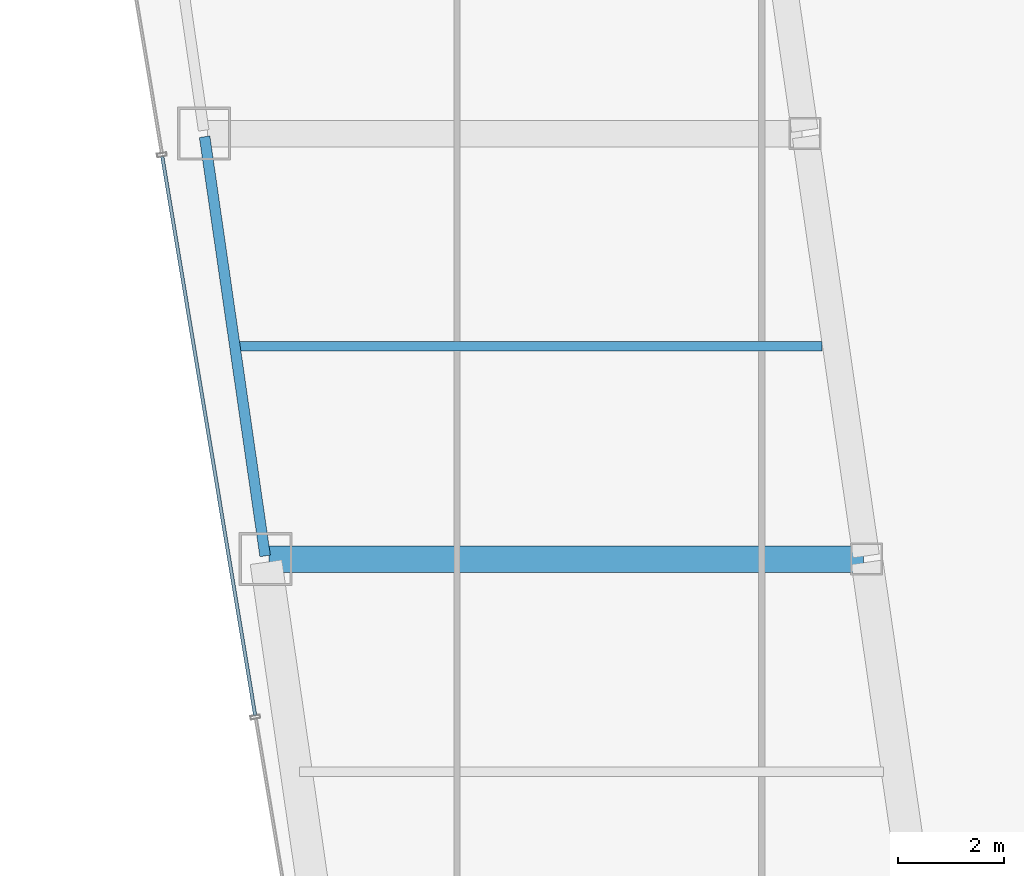
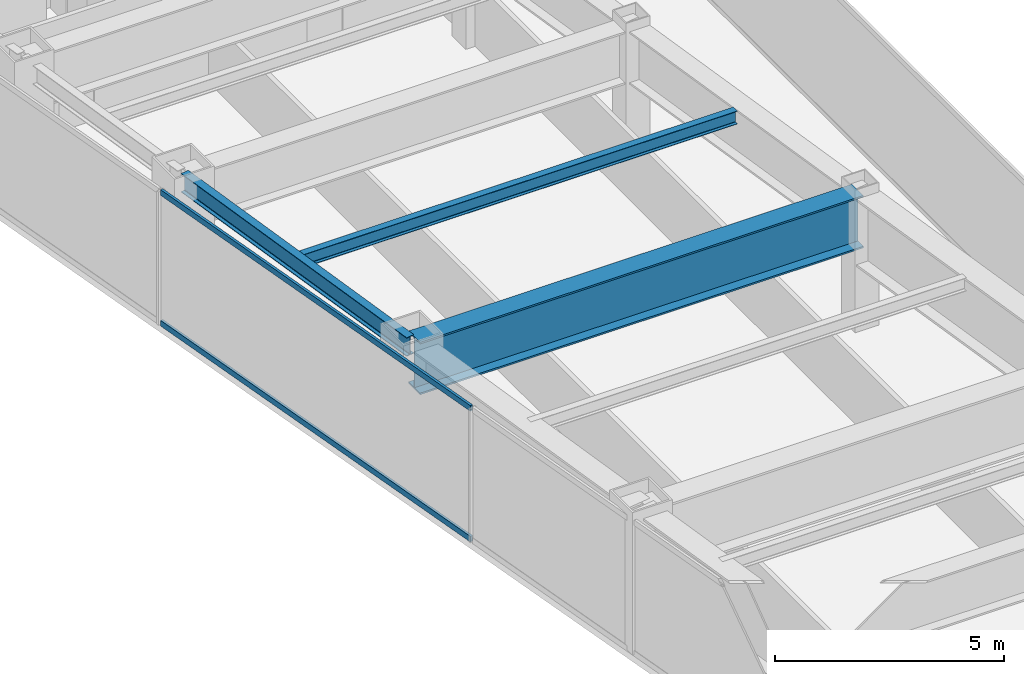
# One storey, part 8 of 37: 3 beams, 2 members, 1 element without a shape of its own.
"""IFC4 building model written with IfcOpenShell, lengths in metres."""

import ifcopenshell
import ifcopenshell.guid

model = None  # the IFC model being written
_history = None  # IfcOwnerHistory: only IFC2X3 demands one
_inside = {}  # id of a spatial element -> (the spatial element, [elements in it])
_under = {}  # id of a project, library or spatial element -> (it, [spatial elements below it])
_declared = {}  # id of a project -> (the project, [libraries it declares])
_typed = {}  # id of a type object -> (the type object, [elements of that type])
_made_of = {}  # id of a material, layer set ... -> (it, [elements and type objects made of it])


def new_model(schema):
    """Start an empty IFC model of exactly this schema.

    Asked for "IFC4X3", IfcOpenShell would pick the latest addendum, in which some entities
    have other attributes; the version numbers below select the first issue.
    IFC2X3 requires an IfcOwnerHistory on every rooted entity: one is made here for all.
    """
    global model, _history
    if schema == "IFC4X3":
        model = ifcopenshell.file(schema_version=(4, 3, 0, 0))
    else:
        model = ifcopenshell.file(schema=schema)
    _inside.clear()
    _under.clear()
    _declared.clear()
    _typed.clear()
    _made_of.clear()
    _history = None
    if model.schema == "IFC2X3":
        org = make("IfcOrganization", Name="unknown")
        user = make(
            "IfcPersonAndOrganization",
            ThePerson=make("IfcPerson", FamilyName="unknown"),
            TheOrganization=org,
        )
        app = make(
            "IfcApplication",
            ApplicationDeveloper=org,
            Version="unknown",
            ApplicationFullName="unknown",
            ApplicationIdentifier="unknown",
        )
        _history = make(
            "IfcOwnerHistory",
            OwningUser=user,
            OwningApplication=app,
            ChangeAction="ADDED",
            CreationDate=0,
        )
    return model


def make(cls, **values):
    """One entity of the class cls with the attributes given. An attribute that is None is left unset."""
    return model.create_entity(
        cls, **{name: value for name, value in values.items() if value is not None}
    )


def rooted(cls, **values):
    """An entity with a GlobalId (a new one), such as an element, a storey or a relation."""
    return make(cls, GlobalId=ifcopenshell.guid.new(), OwnerHistory=_history, **values)


def si_unit(unit_type, name, prefix=None):
    """IfcSIUnit, for example si_unit("LENGTHUNIT", "METRE", prefix="MILLI")."""
    return make("IfcSIUnit", UnitType=unit_type, Prefix=prefix, Name=name)


def assignment(units):
    """IfcUnitAssignment: the units of a project."""
    return None if units is None else make("IfcUnitAssignment", Units=units)


def point(xyz):
    """IfcCartesianPoint."""
    return None if xyz is None else make("IfcCartesianPoint", Coordinates=xyz)


def direction(xyz):
    """IfcDirection."""
    return None if xyz is None else make("IfcDirection", DirectionRatios=xyz)


def frame(location, z_axis=None, x_axis=None):
    """IfcAxis2Placement3D, a coordinate frame: its origin and axes. An axis left out is left unset."""
    return make(
        "IfcAxis2Placement3D",
        Location=point(location),
        Axis=direction(z_axis),
        RefDirection=direction(x_axis),
    )


def frame_2d(location, x_axis=None):
    """IfcAxis2Placement2D, a coordinate frame in the plane: its origin and x axis."""
    return make(
        "IfcAxis2Placement2D", Location=point(location), RefDirection=direction(x_axis)
    )


def origin():
    """The frame at (0, 0, 0) with its axes left unset."""
    return frame((0.0, 0.0, 0.0))


def origin_2d():
    """The frame at (0, 0) in the plane with its x axis left unset."""
    return frame_2d((0.0, 0.0))


def place(relative_to, where):
    """IfcLocalPlacement: puts the frame where relative to a parent placement (None: the world)."""
    return make(
        "IfcLocalPlacement", PlacementRelTo=relative_to, RelativePlacement=where
    )


def context(
    kind, dimensions, precision=None, world=None, true_north=None, identifier=None
):
    """IfcGeometricRepresentationContext, for example the 3D "Model" context."""
    return make(
        "IfcGeometricRepresentationContext",
        ContextIdentifier=identifier,
        ContextType=kind,
        CoordinateSpaceDimension=dimensions,
        Precision=precision,
        WorldCoordinateSystem=world,
        TrueNorth=true_north,
    )


def subcontext(parent, identifier, kind, view, scale=None):
    """IfcGeometricRepresentationSubContext, for example "Body" below "Model"."""
    return make(
        "IfcGeometricRepresentationSubContext",
        ContextIdentifier=identifier,
        ContextType=kind,
        ParentContext=parent,
        TargetScale=scale,
        TargetView=view,
    )


def project(units=None, contexts=None):
    """IfcProject with its units and contexts."""
    return rooted(
        "IfcProject",
        Name="project",
        RepresentationContexts=contexts,
        UnitsInContext=assignment(units),
    )


def spatial(cls, under=None, at=None, **own):
    """A site, building, storey or space (cls), placed at a placement, below another one or the project."""
    s = rooted(cls, ObjectPlacement=at, **own)
    if under is not None:
        _under.setdefault(under.id(), (under, []))[1].append(s)
    return s


def profile(cls, at=None, kind="AREA", **sizes):
    """A parametric profile (cls). Its sizes go by their IFC names, for example OverallWidth=200.0."""
    return make(cls, ProfileType=kind, Position=at, **sizes)


def hollow_rectangle(**sizes):
    """IfcRectangleHollowProfileDef."""
    return profile("IfcRectangleHollowProfileDef", **sizes)


def i_section(**sizes):
    """IfcIShapeProfileDef."""
    return profile("IfcIShapeProfileDef", **sizes)


def extrude(swept, where, along, depth):
    """IfcExtrudedAreaSolid: the profile swept, set in the frame where, extruded along a direction by depth."""
    return make(
        "IfcExtrudedAreaSolid",
        SweptArea=swept,
        Position=where,
        ExtrudedDirection=direction(along),
        Depth=depth,
    )


def shape(context_of_items, identifier, shape_type, items):
    """IfcShapeRepresentation: the items that make up one representation, for example the "Body"."""
    return make(
        "IfcShapeRepresentation",
        ContextOfItems=context_of_items,
        RepresentationIdentifier=identifier,
        RepresentationType=shape_type,
        Items=items,
    )


def material(Name=None, Category=None):
    """IfcMaterial."""
    return make("IfcMaterial", Name=Name, Category=Category)


def material_profile(
    of_material, cross_section, Name=None, Category=None, Priority=None
):
    """IfcMaterialProfile: a cross section and its material."""
    return make(
        "IfcMaterialProfile",
        Name=Name,
        Material=of_material,
        Profile=cross_section,
        Priority=Priority,
        Category=Category,
    )


def profile_set(profiles, Name=None, composite=None):
    """IfcMaterialProfileSet."""
    return make(
        "IfcMaterialProfileSet",
        Name=Name,
        MaterialProfiles=profiles,
        CompositeProfile=composite,
    )


def made_of(thing, what):
    """Note that an element or type object is made of a material, layer set ...; save() writes the relation."""
    if what is not None:
        _made_of.setdefault(what.id(), (what, []))[1].append(thing)
    return thing


def type_object(cls, material=None, **own):
    """A type object (cls), such as IfcWallType, which elements share."""
    return made_of(rooted(cls, **own), material)


def element(
    cls,
    number,
    at=None,
    inside=None,
    cuts=None,
    type_object=None,
    material=None,
    context=None,
    identifier="Body",
    shape_type=None,
    held_by="IfcProductDefinitionShape",
    body=None,
    shapes=None,
    **own,
):
    """One element of the class cls, such as IfcWall. Its Tag is "e" and its number.

    at: its placement. inside: the storey or other place that contains it. cuts: it is an
    opening in that element (IfcRelVoidsElement). A single representation is given by context,
    identifier, shape_type and body (its items); several are given by shapes. held_by: the class
    of the entity that holds the representations. save() writes the other relations.
    """
    e = rooted(cls, Tag="e%d" % number, ObjectPlacement=at, **own)
    if body is not None:
        shapes = [shape(context, identifier, shape_type, body)]
    if shapes is not None:
        e.Representation = make(held_by, Representations=shapes)
    if inside is not None:
        _inside.setdefault(inside.id(), (inside, []))[1].append(e)
    if cuts is not None:
        rooted(
            "IfcRelVoidsElement", RelatingBuildingElement=cuts, RelatedOpeningElement=e
        )
    if type_object is not None:
        _typed.setdefault(type_object.id(), (type_object, []))[1].append(e)
    return made_of(e, material)


def aggregate(whole, parts):
    """IfcRelAggregates: a whole, such as a stair, and the parts it consists of."""
    return rooted("IfcRelAggregates", RelatingObject=whole, RelatedObjects=parts)


def save(model, path):
    """Write the relations noted so far, then the file.

    IfcRelAggregates (storeys below a building ...), IfcRelContainedInSpatialStructure (elements
    in a storey), IfcRelDefinesByType, IfcRelAssociatesMaterial and IfcRelDeclares: one each for
    every whole, place, type object, material and project.
    """
    for whole, parts in _under.values():
        aggregate(whole, parts)
    for where, things in _inside.values():
        rooted(
            "IfcRelContainedInSpatialStructure",
            RelatedElements=things,
            RelatingStructure=where,
        )
    for kind, things in _typed.values():
        rooted("IfcRelDefinesByType", RelatedObjects=things, RelatingType=kind)
    for what, things in _made_of.values():
        rooted("IfcRelAssociatesMaterial", RelatedObjects=things, RelatingMaterial=what)
    for by, libraries in _declared.values():
        rooted("IfcRelDeclares", RelatingContext=by, RelatedDefinitions=libraries)
    model.write(path)


model = new_model("IFC4")

# Units and contexts
model_context = context("Model", 3, precision=1e-05, world=origin(), true_north=direction((0.0, 1.0)))
body_context = subcontext(model_context, "Body", "Model", "MODEL_VIEW")
ifc_project = project(units=[si_unit("LENGTHUNIT", "METRE"), si_unit("AREAUNIT", "SQUARE_METRE"), si_unit("VOLUMEUNIT", "CUBIC_METRE"), si_unit("PLANEANGLEUNIT", "RADIAN"), si_unit("MASSUNIT", "GRAM", prefix="KILO")], contexts=[model_context])

# Site, building, storey
site_placement = place(None, origin())
site = spatial("IfcSite", under=ifc_project, at=site_placement, CompositionType="ELEMENT")
building_placement = place(site_placement, origin())
building = spatial("IfcBuilding", under=site, at=building_placement, Name="Saevonmaru Cultural Tower", CompositionType="ELEMENT")
storey_placement = place(building_placement, frame((0.0, 0.0, 163.800048828125)))
storey = spatial("IfcBuildingStorey", under=building, at=storey_placement, Name="L36", CompositionType="ELEMENT", Elevation=163.800048828125)

# Beams
ifc_material_1 = material(Name="Steel SM355", Category="steel")
ifc_material_profile_1 = material_profile(ifc_material_1, i_section(OverallWidth=0.175048828125, OverallDepth=0.35009765625, WebThickness=0.007080078125, FlangeThickness=0.010986328125, FilletRadius=0.012939453125, at=origin_2d()), Name="H-350x175x7x11")
ifc_profile_set_1 = profile_set([ifc_material_profile_1], Name="Steel SM355")
beam_type_1 = type_object("IfcBeamType", Name="BM-J-H350", PredefinedType="JOIST", material=ifc_profile_set_1)
beam_1_placement = place(storey_placement, frame((8.95458984375, 28.0, 3.375), z_axis=(1.0, 0.0, 0.0), x_axis=(0.0, 1.0, 0.0)))
element("IfcBeam", 1, at=beam_1_placement, inside=storey, type_object=beam_type_1, Name="L36 West Wing Floor Joist 3", PredefinedType="JOIST", context=body_context, shape_type="SweptSolid", body=[
    extrude(i_section(OverallWidth=0.175048828125, OverallDepth=0.35009765625, WebThickness=0.007080078125, FlangeThickness=0.010986328125, FilletRadius=0.012939453125, at=origin_2d()), origin(), (0.0, 0.0, 1.0), 10.98193359375),
])
ifc_material_profile_2 = material_profile(ifc_material_1, i_section(OverallWidth=0.199951171875, OverallDepth=0.5, WebThickness=0.010009765625, FlangeThickness=0.01611328125, FilletRadius=0.02001953125, at=origin_2d()), Name="H-500x200x10x16")
ifc_profile_set_2 = profile_set([ifc_material_profile_2], Name="Steel SM355")
beam_type_2 = type_object("IfcBeamType", Name="BM-SP-H500", PredefinedType="SPANDREL", material=ifc_profile_set_2)
beam_2_placement = place(storey_placement, frame((9.46337890625, 24.059326171875, 3.300048828125), z_axis=(-0.142871999001, 0.989741174197, 0.0), x_axis=(-0.989741174197, -0.142871999001, 0.0)))
element("IfcBeam", 2, at=beam_2_placement, inside=storey, type_object=beam_type_2, Name="L36 West Splayed Spandrel 3", PredefinedType="SPANDREL", context=body_context, shape_type="SweptSolid", body=[
    extrude(i_section(OverallWidth=0.199951171875, OverallDepth=0.5, WebThickness=0.010009765625, FlangeThickness=0.01611328125, FilletRadius=0.02001953125, at=origin_2d()), origin(), (0.0, 0.0, 1.0), 7.963134765625),
])
ifc_material_2 = material(Name="Steel HSA600 (600 MPa)", Category="steel")
ifc_material_profile_3 = material_profile(ifc_material_2, i_section(OverallWidth=0.5, OverallDepth=1.39990234375, WebThickness=0.02392578125, FlangeThickness=0.044921875, at=origin_2d()), Name="PG-1400x500x24x45")
ifc_profile_set_3 = profile_set([ifc_material_profile_3], Name="Steel HSA600 (600 MPa)")
beam_type_3 = type_object("IfcBeamType", Name="BM-TG-PG1400", PredefinedType="BEAM", material=ifc_profile_set_3)
beam_3_placement = place(storey_placement, frame((9.531982421875, 24.0, 2.849853515625), z_axis=(1.0, 0.0, 0.0), x_axis=(0.0, 1.0, 0.0)))
element("IfcBeam", 3, at=beam_3_placement, inside=storey, type_object=beam_type_3, Name="L36 West Wing Transverse Girder 3", PredefinedType="BEAM", context=body_context, shape_type="SweptSolid", body=[
    extrude(i_section(OverallWidth=0.5, OverallDepth=1.39990234375, WebThickness=0.02392578125, FlangeThickness=0.044921875, at=origin_2d()), origin(), (0.0, 0.0, 1.0), 11.179931640625),
])

# Curtain wall, members
ifc_material_3 = material(Name="Satin Bronze Anodised Aluminium", Category="aluminium")
curtain_wall_type = type_object("IfcCurtainWallType", Name="CW-TYP-A", PredefinedType="NOTDEFINED", material=ifc_material_3)
curtain_wall_placement = place(storey_placement, origin())
curtain_wall = element("IfcCurtainWall", 4, at=curtain_wall_placement, inside=storey, type_object=curtain_wall_type, Name="L36 Unitised Curtain Wall E12", PredefinedType="NOTDEFINED")
ifc_material_profile_4 = material_profile(ifc_material_3, hollow_rectangle(XDim=0.06494140625, YDim=0.14990234375, WallThickness=0.00390625, at=origin_2d()), Name="ALU-TRAN-150x65x4")
ifc_profile_set_4 = profile_set([ifc_material_profile_4], Name="Satin Bronze Anodised Aluminium")
member_type = type_object("IfcMemberType", Name="TR-CW-150x65", PredefinedType="USERDEFINED", material=ifc_profile_set_4)
member_1_placement = place(storey_placement, frame((7.52978515625, 31.56787109375, 0.032470703125), z_axis=(0.163993787386, -0.98646137162, 0.0), x_axis=(0.98646137162, 0.163993787386, 0.0)))
member_1 = element("IfcMember", 5, at=member_1_placement, type_object=member_type, Name="CW-TW-L36-E12 transom 3.1", ObjectType="TRANSOM", PredefinedType="USERDEFINED", context=body_context, shape_type="SweptSolid", body=[
    extrude(hollow_rectangle(XDim=0.06494140625, YDim=0.14990234375, WallThickness=0.00390625, at=origin_2d()), origin(), (0.0, 0.0, 1.0), 10.650390625),
])
member_2_placement = place(storey_placement, frame((7.52978515625, 31.56787109375, 3.517333984375), z_axis=(0.163993787386, -0.98646137162, 0.0), x_axis=(0.98646137162, 0.163993787386, 0.0)))
member_2 = element("IfcMember", 6, at=member_2_placement, type_object=member_type, Name="CW-TW-L36-E12 transom 3.2", ObjectType="TRANSOM", PredefinedType="USERDEFINED", context=body_context, shape_type="SweptSolid", body=[
    extrude(hollow_rectangle(XDim=0.06494140625, YDim=0.14990234375, WallThickness=0.00390625, at=origin_2d()), origin(), (0.0, 0.0, 1.0), 10.650390625),
])
aggregate(curtain_wall, [member_1, member_2])

save(model, "model.ifc")
